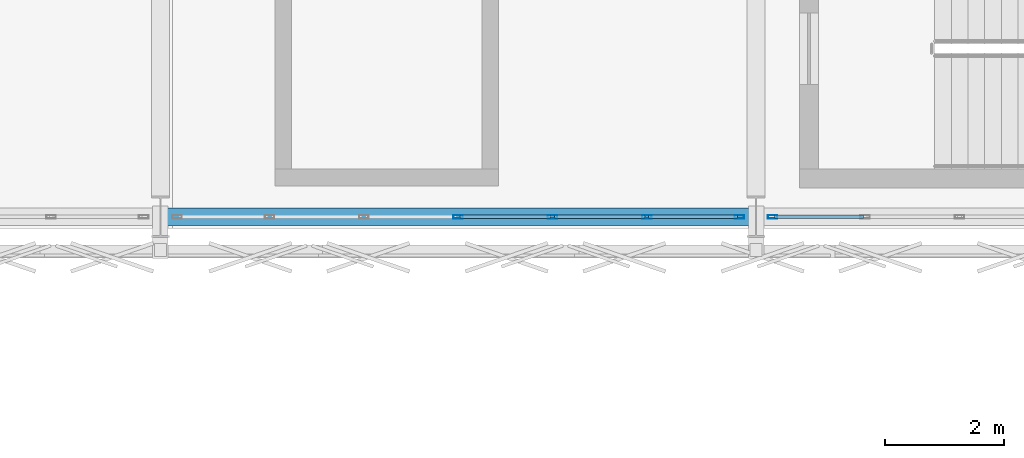
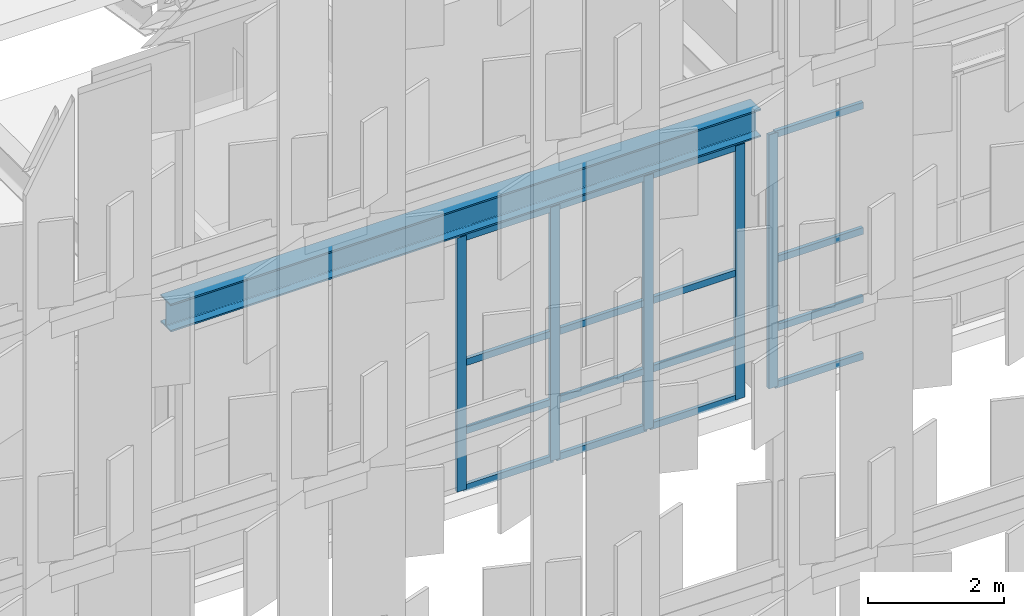
# One storey, part 161 of 239: 21 members, 1 beam, 2 elements without a shape of their own.
"""IFC4 building model written with IfcOpenShell, lengths in metres."""

from ifc_helpers import new_model, si_unit, direction, frame, origin, origin_2d, place, context, subcontext, project, spatial, hollow_rectangle, i_section, extrude, material, material_profile, profile_set, type_object, element, aggregate, save


model = new_model("IFC4")

# Units and contexts
model_context = context("Model", 3, precision=1e-05, world=origin(), true_north=direction((0.0, 1.0)))
body_context = subcontext(model_context, "Body", "Model", "MODEL_VIEW")
ifc_project = project(units=[si_unit("LENGTHUNIT", "METRE"), si_unit("AREAUNIT", "SQUARE_METRE"), si_unit("VOLUMEUNIT", "CUBIC_METRE"), si_unit("PLANEANGLEUNIT", "RADIAN"), si_unit("MASSUNIT", "GRAM", prefix="KILO")], contexts=[model_context])

# Site, building, storey
site_placement = place(None, origin())
site = spatial("IfcSite", under=ifc_project, at=site_placement, CompositionType="ELEMENT")
building_placement = place(site_placement, origin())
building = spatial("IfcBuilding", under=site, at=building_placement, Name="Kaldris Quays Convention Centre", CompositionType="ELEMENT")
storey_placement = place(building_placement, frame((0.0, 0.0, 11.39990234375)))
storey = spatial("IfcBuildingStorey", under=building, at=storey_placement, Name="L02", CompositionType="ELEMENT", Elevation=11.39990234375)

# Curtain wall, members
ifc_material_1 = material(Name="Anodized aluminium AW-6060 and triple glazing", Category="aluminium")
curtain_wall_type = type_object("IfcCurtainWallType", Name="UNITISED CURTAIN WALL CW01", PredefinedType="NOTDEFINED", material=ifc_material_1)
curtain_wall_1_placement = place(storey_placement, origin())
curtain_wall_1 = element("IfcCurtainWall", 1, at=curtain_wall_1_placement, inside=storey, type_object=curtain_wall_type, Name="L02 Unitised Curtain Wall CW01 31", PredefinedType="NOTDEFINED")
ifc_material_2 = material(Name="Anodized aluminium AW-6060", Category="aluminium")
ifc_material_profile_1 = material_profile(ifc_material_2, hollow_rectangle(XDim=0.06005859375, YDim=0.159912109375, WallThickness=0.00390625, at=origin_2d()), Name="RHS 160x60x4")
ifc_profile_set_1 = profile_set([ifc_material_profile_1], Name="Anodized aluminium AW-6060")
member_type_1 = type_object("IfcMemberType", Name="CURTAIN MULLION CWM1", PredefinedType="MULLION", material=ifc_profile_set_1)
member_1_placement = place(storey_placement, frame((189.0, 56.0, 0.0), z_axis=(0.0, 0.0, 1.0), x_axis=(0.0, 1.0, 0.0)))
member_1 = element("IfcMember", 2, at=member_1_placement, type_object=member_type_1, Name="CW01 mullion 4", PredefinedType="MULLION", context=body_context, shape_type="SweptSolid", body=[
    extrude(hollow_rectangle(XDim=0.06005859375, YDim=0.159912109375, WallThickness=0.00390625, at=origin_2d()), origin(), (0.0, 0.0, 1.0), 4.548095703125),
])
member_2_placement = place(storey_placement, frame((190.583251953125, 56.0, 0.0), z_axis=(0.0, 0.0, 1.0), x_axis=(0.0, 1.0, 0.0)))
member_2 = element("IfcMember", 3, at=member_2_placement, type_object=member_type_1, Name="CW01 mullion 5", PredefinedType="MULLION", context=body_context, shape_type="SweptSolid", body=[
    extrude(hollow_rectangle(XDim=0.06005859375, YDim=0.159912109375, WallThickness=0.00390625, at=origin_2d()), origin(), (0.0, 0.0, 1.0), 4.548095703125),
])
member_3_placement = place(storey_placement, frame((192.166748046875, 56.0, 0.0), z_axis=(0.0, 0.0, 1.0), x_axis=(0.0, 1.0, 0.0)))
member_3 = element("IfcMember", 4, at=member_3_placement, type_object=member_type_1, Name="CW01 mullion 6", PredefinedType="MULLION", context=body_context, shape_type="SweptSolid", body=[
    extrude(hollow_rectangle(XDim=0.06005859375, YDim=0.159912109375, WallThickness=0.00390625, at=origin_2d()), origin(), (0.0, 0.0, 1.0), 4.548095703125),
])
member_4_placement = place(storey_placement, frame((193.719970703125, 56.0, 0.0), z_axis=(0.0, 0.0, 1.0), x_axis=(0.0, 1.0, 0.0)))
member_4 = element("IfcMember", 5, at=member_4_placement, type_object=member_type_1, Name="CW01 mullion 7", PredefinedType="MULLION", context=body_context, shape_type="SweptSolid", body=[
    extrude(hollow_rectangle(XDim=0.06005859375, YDim=0.159912109375, WallThickness=0.00390625, at=origin_2d()), origin(), (0.0, 0.0, 1.0), 4.548095703125),
])

# Curtain wall, member
curtain_wall_2_placement = place(storey_placement, origin())
curtain_wall_2 = element("IfcCurtainWall", 6, at=curtain_wall_2_placement, inside=storey, type_object=curtain_wall_type, Name="L02 Unitised Curtain Wall CW01 32", PredefinedType="NOTDEFINED")
member_5_placement = place(storey_placement, frame((194.280029296875, 56.0, 0.0), z_axis=(0.0, 0.0, 1.0), x_axis=(0.0, 1.0, 0.0)))
member_5 = element("IfcMember", 7, at=member_5_placement, type_object=member_type_1, Name="CW01 mullion 1", PredefinedType="MULLION", context=body_context, shape_type="SweptSolid", body=[
    extrude(hollow_rectangle(XDim=0.06005859375, YDim=0.159912109375, WallThickness=0.00390625, at=origin_2d()), origin(), (0.0, 0.0, 1.0), 4.548095703125),
])

# Member
ifc_material_profile_2 = material_profile(ifc_material_2, hollow_rectangle(XDim=0.06005859375, YDim=0.1201171875, WallThickness=0.00390625, at=origin_2d()), Name="RHS 120x60x4")
ifc_profile_set_2 = profile_set([ifc_material_profile_2], Name="Anodized aluminium AW-6060")
member_type_2 = type_object("IfcMemberType", Name="CURTAIN TRANSOM CWT1", PredefinedType="USERDEFINED", material=ifc_profile_set_2)
member_6_placement = place(storey_placement, frame((189.030029296875, 56.0, 0.030029296875), z_axis=(1.0, 0.0, 0.0), x_axis=(0.0, 1.0, 0.0)))
member_6 = element("IfcMember", 8, at=member_6_placement, type_object=member_type_2, Name="CW01 transom 4.1", ObjectType="TRANSOM", PredefinedType="USERDEFINED", context=body_context, shape_type="SweptSolid", body=[
    extrude(hollow_rectangle(XDim=0.06005859375, YDim=0.1201171875, WallThickness=0.00390625, at=origin_2d()), origin(), (0.0, 0.0, 1.0), 1.523193359375),
])

member_7_placement = place(storey_placement, frame((189.030029296875, 56.0, 1.050048828125), z_axis=(1.0, 0.0, 0.0), x_axis=(0.0, 1.0, 0.0)))
member_7 = element("IfcMember", 9, at=member_7_placement, type_object=member_type_2, Name="CW01 transom 4.2", ObjectType="TRANSOM", PredefinedType="USERDEFINED", context=body_context, shape_type="SweptSolid", body=[
    extrude(hollow_rectangle(XDim=0.06005859375, YDim=0.1201171875, WallThickness=0.00390625, at=origin_2d()), origin(), (0.0, 0.0, 1.0), 1.523193359375),
])

member_8_placement = place(storey_placement, frame((189.030029296875, 56.0, 2.274169921875), z_axis=(1.0, 0.0, 0.0), x_axis=(0.0, 1.0, 0.0)))
member_8 = element("IfcMember", 10, at=member_8_placement, type_object=member_type_2, Name="CW01 transom 4.3", ObjectType="TRANSOM", PredefinedType="USERDEFINED", context=body_context, shape_type="SweptSolid", body=[
    extrude(hollow_rectangle(XDim=0.06005859375, YDim=0.1201171875, WallThickness=0.00390625, at=origin_2d()), origin(), (0.0, 0.0, 1.0), 1.523193359375),
])

member_9_placement = place(storey_placement, frame((189.030029296875, 56.0, 4.51806640625), z_axis=(1.0, 0.0, 0.0), x_axis=(0.0, 1.0, 0.0)))
member_9 = element("IfcMember", 11, at=member_9_placement, type_object=member_type_2, Name="CW01 transom 4.4", ObjectType="TRANSOM", PredefinedType="USERDEFINED", context=body_context, shape_type="SweptSolid", body=[
    extrude(hollow_rectangle(XDim=0.06005859375, YDim=0.1201171875, WallThickness=0.00390625, at=origin_2d()), origin(), (0.0, 0.0, 1.0), 1.523193359375),
])

member_10_placement = place(storey_placement, frame((190.61328125, 56.0, 0.030029296875), z_axis=(1.0, 0.0, 0.0), x_axis=(0.0, 1.0, 0.0)))
member_10 = element("IfcMember", 12, at=member_10_placement, type_object=member_type_2, Name="CW01 transom 5.1", ObjectType="TRANSOM", PredefinedType="USERDEFINED", context=body_context, shape_type="SweptSolid", body=[
    extrude(hollow_rectangle(XDim=0.06005859375, YDim=0.1201171875, WallThickness=0.00390625, at=origin_2d()), origin(), (0.0, 0.0, 1.0), 1.5234375),
])

member_11_placement = place(storey_placement, frame((190.61328125, 56.0, 1.050048828125), z_axis=(1.0, 0.0, 0.0), x_axis=(0.0, 1.0, 0.0)))
member_11 = element("IfcMember", 13, at=member_11_placement, type_object=member_type_2, Name="CW01 transom 5.2", ObjectType="TRANSOM", PredefinedType="USERDEFINED", context=body_context, shape_type="SweptSolid", body=[
    extrude(hollow_rectangle(XDim=0.06005859375, YDim=0.1201171875, WallThickness=0.00390625, at=origin_2d()), origin(), (0.0, 0.0, 1.0), 1.5234375),
])

member_12_placement = place(storey_placement, frame((190.61328125, 56.0, 2.274169921875), z_axis=(1.0, 0.0, 0.0), x_axis=(0.0, 1.0, 0.0)))
member_12 = element("IfcMember", 14, at=member_12_placement, type_object=member_type_2, Name="CW01 transom 5.3", ObjectType="TRANSOM", PredefinedType="USERDEFINED", context=body_context, shape_type="SweptSolid", body=[
    extrude(hollow_rectangle(XDim=0.06005859375, YDim=0.1201171875, WallThickness=0.00390625, at=origin_2d()), origin(), (0.0, 0.0, 1.0), 1.5234375),
])

member_13_placement = place(storey_placement, frame((190.61328125, 56.0, 4.51806640625), z_axis=(1.0, 0.0, 0.0), x_axis=(0.0, 1.0, 0.0)))
member_13 = element("IfcMember", 15, at=member_13_placement, type_object=member_type_2, Name="CW01 transom 5.4", ObjectType="TRANSOM", PredefinedType="USERDEFINED", context=body_context, shape_type="SweptSolid", body=[
    extrude(hollow_rectangle(XDim=0.06005859375, YDim=0.1201171875, WallThickness=0.00390625, at=origin_2d()), origin(), (0.0, 0.0, 1.0), 1.5234375),
])

member_14_placement = place(storey_placement, frame((192.19677734375, 56.0, 0.030029296875), z_axis=(1.0, 0.0, 0.0), x_axis=(0.0, 1.0, 0.0)))
member_14 = element("IfcMember", 16, at=member_14_placement, type_object=member_type_2, Name="CW01 transom 6.1", ObjectType="TRANSOM", PredefinedType="USERDEFINED", context=body_context, shape_type="SweptSolid", body=[
    extrude(hollow_rectangle(XDim=0.06005859375, YDim=0.1201171875, WallThickness=0.00390625, at=origin_2d()), origin(), (0.0, 0.0, 1.0), 1.4931640625),
])

member_15_placement = place(storey_placement, frame((192.19677734375, 56.0, 1.050048828125), z_axis=(1.0, 0.0, 0.0), x_axis=(0.0, 1.0, 0.0)))
member_15 = element("IfcMember", 17, at=member_15_placement, type_object=member_type_2, Name="CW01 transom 6.2", ObjectType="TRANSOM", PredefinedType="USERDEFINED", context=body_context, shape_type="SweptSolid", body=[
    extrude(hollow_rectangle(XDim=0.06005859375, YDim=0.1201171875, WallThickness=0.00390625, at=origin_2d()), origin(), (0.0, 0.0, 1.0), 1.4931640625),
])

member_16_placement = place(storey_placement, frame((192.19677734375, 56.0, 2.274169921875), z_axis=(1.0, 0.0, 0.0), x_axis=(0.0, 1.0, 0.0)))
member_16 = element("IfcMember", 18, at=member_16_placement, type_object=member_type_2, Name="CW01 transom 6.3", ObjectType="TRANSOM", PredefinedType="USERDEFINED", context=body_context, shape_type="SweptSolid", body=[
    extrude(hollow_rectangle(XDim=0.06005859375, YDim=0.1201171875, WallThickness=0.00390625, at=origin_2d()), origin(), (0.0, 0.0, 1.0), 1.4931640625),
])

member_17_placement = place(storey_placement, frame((192.19677734375, 56.0, 4.51806640625), z_axis=(1.0, 0.0, 0.0), x_axis=(0.0, 1.0, 0.0)))
member_17 = element("IfcMember", 19, at=member_17_placement, type_object=member_type_2, Name="CW01 transom 6.4", ObjectType="TRANSOM", PredefinedType="USERDEFINED", context=body_context, shape_type="SweptSolid", body=[
    extrude(hollow_rectangle(XDim=0.06005859375, YDim=0.1201171875, WallThickness=0.00390625, at=origin_2d()), origin(), (0.0, 0.0, 1.0), 1.4931640625),
])

aggregate(curtain_wall_1, [member_1, member_2, member_3, member_4, member_6, member_7, member_8, member_9, member_10, member_11, member_12, member_13, member_14, member_15, member_16, member_17])

member_18_placement = place(storey_placement, frame((194.31005859375, 56.0, 0.030029296875), z_axis=(1.0, 0.0, 0.0), x_axis=(0.0, 1.0, 0.0)))
member_18 = element("IfcMember", 20, at=member_18_placement, type_object=member_type_2, Name="CW01 transom 1.1", ObjectType="TRANSOM", PredefinedType="USERDEFINED", context=body_context, shape_type="SweptSolid", body=[
    extrude(hollow_rectangle(XDim=0.06005859375, YDim=0.1201171875, WallThickness=0.00390625, at=origin_2d()), origin(), (0.0, 0.0, 1.0), 1.4931640625),
])

member_19_placement = place(storey_placement, frame((194.31005859375, 56.0, 1.050048828125), z_axis=(1.0, 0.0, 0.0), x_axis=(0.0, 1.0, 0.0)))
member_19 = element("IfcMember", 21, at=member_19_placement, type_object=member_type_2, Name="CW01 transom 1.2", ObjectType="TRANSOM", PredefinedType="USERDEFINED", context=body_context, shape_type="SweptSolid", body=[
    extrude(hollow_rectangle(XDim=0.06005859375, YDim=0.1201171875, WallThickness=0.00390625, at=origin_2d()), origin(), (0.0, 0.0, 1.0), 1.4931640625),
])

member_20_placement = place(storey_placement, frame((194.31005859375, 56.0, 2.274169921875), z_axis=(1.0, 0.0, 0.0), x_axis=(0.0, 1.0, 0.0)))
member_20 = element("IfcMember", 22, at=member_20_placement, type_object=member_type_2, Name="CW01 transom 1.3", ObjectType="TRANSOM", PredefinedType="USERDEFINED", context=body_context, shape_type="SweptSolid", body=[
    extrude(hollow_rectangle(XDim=0.06005859375, YDim=0.1201171875, WallThickness=0.00390625, at=origin_2d()), origin(), (0.0, 0.0, 1.0), 1.4931640625),
])

member_21_placement = place(storey_placement, frame((194.31005859375, 56.0, 4.51806640625), z_axis=(1.0, 0.0, 0.0), x_axis=(0.0, 1.0, 0.0)))
member_21 = element("IfcMember", 23, at=member_21_placement, type_object=member_type_2, Name="CW01 transom 1.4", ObjectType="TRANSOM", PredefinedType="USERDEFINED", context=body_context, shape_type="SweptSolid", body=[
    extrude(hollow_rectangle(XDim=0.06005859375, YDim=0.1201171875, WallThickness=0.00390625, at=origin_2d()), origin(), (0.0, 0.0, 1.0), 1.4931640625),
])

aggregate(curtain_wall_2, [member_5, member_18, member_19, member_20, member_21])

# Beam
ifc_material_3 = material(Name="Steel S355J2", Category="steel")
ifc_material_profile_3 = material_profile(ifc_material_3, i_section(OverallWidth=0.300048828125, OverallDepth=0.5, WebThickness=0.014404296875, FlangeThickness=0.028076171875, FilletRadius=0.027099609375, at=origin_2d()), Name="HEB 500")
ifc_profile_set_3 = profile_set([ifc_material_profile_3], Name="Steel S355J2")
beam_type = type_object("IfcBeamType", Name="STRUCTURAL BEAM BM06", PredefinedType="BEAM", material=ifc_profile_set_3)
beam_placement = place(storey_placement, frame((184.00244140625, 56.0, 4.9130859375), z_axis=(1.0, 0.0, 0.0), x_axis=(0.0, 1.0, 0.0)))
element("IfcBeam", 24, at=beam_placement, inside=storey, type_object=beam_type, Name="L02 Girder BM06 3", PredefinedType="BEAM", context=body_context, shape_type="SweptSolid", body=[
    extrude(i_section(OverallWidth=0.300048828125, OverallDepth=0.5, WebThickness=0.014404296875, FlangeThickness=0.028076171875, FilletRadius=0.027099609375, at=origin_2d()), origin(), (0.0, 0.0, 1.0), 9.9951171875),
])

save(model, "model.ifc")
